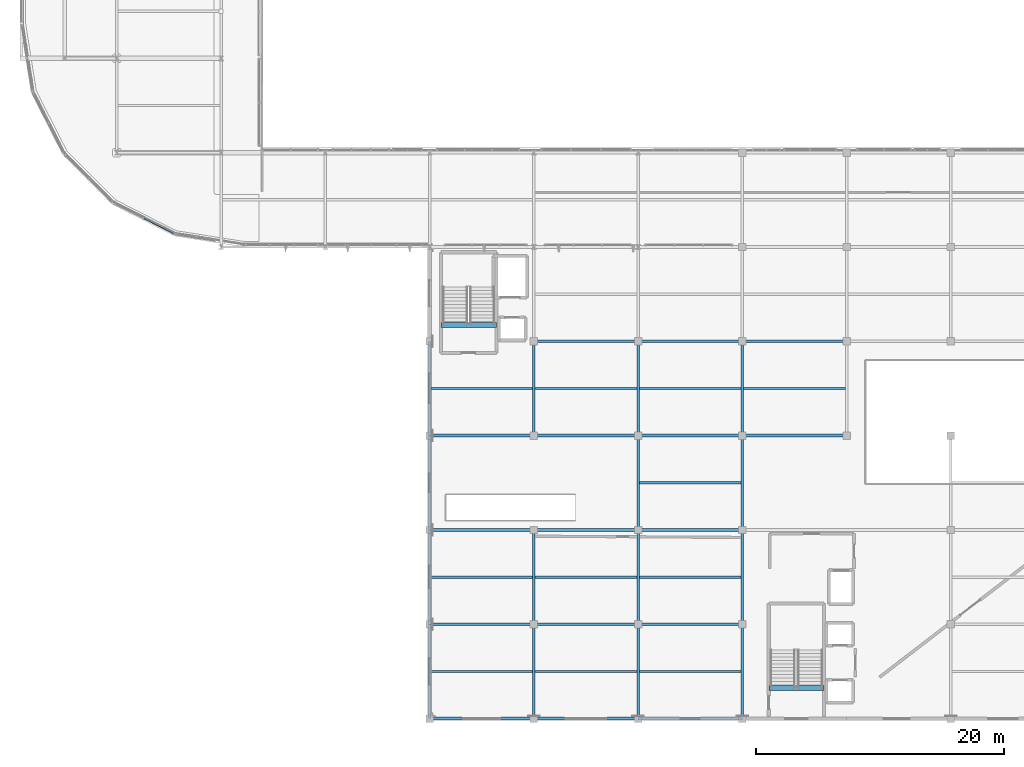
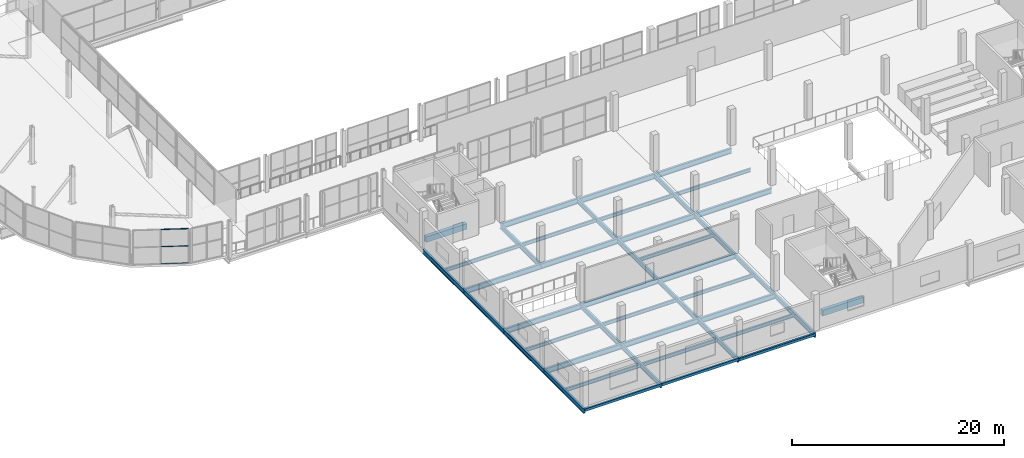
# One storey, part 13 of 217: 44 beams, 3 members, 1 element without a shape of its own.
"""IFC4 building model written with IfcOpenShell, lengths in metres."""

from ifc_helpers import new_model, si_unit, direction, frame, origin, origin_2d, place, context, subcontext, project, spatial, rectangle, hollow_rectangle, i_section, extrude, material, material_profile, profile_set, type_object, element, aggregate, save


model = new_model("IFC4")

# Units and contexts
model_context = context("Model", 3, precision=1e-05, world=origin(), true_north=direction((0.0, 1.0)))
body_context = subcontext(model_context, "Body", "Model", "MODEL_VIEW")
ifc_project = project(units=[si_unit("LENGTHUNIT", "METRE"), si_unit("AREAUNIT", "SQUARE_METRE"), si_unit("VOLUMEUNIT", "CUBIC_METRE"), si_unit("PLANEANGLEUNIT", "RADIAN"), si_unit("MASSUNIT", "GRAM", prefix="KILO")], contexts=[model_context])

# Site, building, storey
site_placement = place(None, origin())
site = spatial("IfcSite", under=ifc_project, at=site_placement, CompositionType="ELEMENT")
building_placement = place(site_placement, origin())
building = spatial("IfcBuilding", under=site, at=building_placement, Name="Zuvorla Pavilion Media Centre", CompositionType="ELEMENT")
storey_placement = place(building_placement, frame((0.0, 0.0, 9.60009765625)))
storey = spatial("IfcBuildingStorey", under=building, at=storey_placement, Name="L02", CompositionType="ELEMENT", Elevation=9.60009765625)

# Beams
ifc_material_1 = material(Name="Concrete C40/50", Category="concrete")
ifc_material_profile_1 = material_profile(ifc_material_1, rectangle(XDim=0.39990234375, YDim=0.64990234375, at=origin_2d()), Name="RC 400x650")
ifc_profile_set_1 = profile_set([ifc_material_profile_1], Name="Concrete C40/50")
beam_type_1 = type_object("IfcBeamType", Name="BM-RC-650", PredefinedType="BEAM", material=ifc_profile_set_1)
beam_1_placement = place(storey_placement, frame((68.929931640625, 8.469970703125, -0.32421875), z_axis=(1.0, 0.0, 0.0), x_axis=(0.0, 1.0, 0.0)))
element("IfcBeam", 1, at=beam_1_placement, inside=storey, type_object=beam_type_1, Name="L02 ST-01 landing trimmer beam", PredefinedType="BEAM", context=body_context, shape_type="SweptSolid", body=[
    extrude(rectangle(XDim=0.39990234375, YDim=0.64990234375, at=origin_2d()), origin(), (0.0, 0.0, 1.0), 4.440185546875),
])
beam_2_placement = place(storey_placement, frame((42.530029296875, 37.719970703125, -0.32421875), z_axis=(1.0, 0.0, 0.0), x_axis=(0.0, 1.0, 0.0)))
element("IfcBeam", 2, at=beam_2_placement, inside=storey, type_object=beam_type_1, Name="L02 ST-03 landing trimmer beam", PredefinedType="BEAM", context=body_context, shape_type="SweptSolid", body=[
    extrude(rectangle(XDim=0.39990234375, YDim=0.64990234375, at=origin_2d()), origin(), (0.0, 0.0, 1.0), 4.43994140625),
])
ifc_material_2 = material(Name="Steel S355", Category="steel")
ifc_material_profile_2 = material_profile(ifc_material_2, hollow_rectangle(XDim=0.199951171875, YDim=0.300048828125, WallThickness=0.012451171875, at=origin_2d()), Name="RHS 300x200x12.5")
ifc_profile_set_2 = profile_set([ifc_material_profile_2], Name="Steel S355")
beam_type_2 = type_object("IfcBeamType", Name="BM-SP-RHS300", PredefinedType="SPANDREL", material=ifc_profile_set_2)
for number, where, z_axis, x_axis, name in (
    (3, (41.60009765625, 6.0, -0.508056640625), (1.0, 0.0, 0.0), (0.0, 1.0, 0.0), "L02 spandrel SP01 790"),
    (4, (50.0, 6.0, -0.508056640625), (1.0, 0.0, 0.0), (0.0, 1.0, 0.0), "L02 spandrel SP01 791"),
):
    element("IfcBeam", number, at=place(storey_placement, frame(where, z_axis=z_axis, x_axis=x_axis)), inside=storey, type_object=beam_type_2, Name=name, PredefinedType="SPANDREL", context=body_context, shape_type="SweptSolid", body=[
        extrude(hollow_rectangle(XDim=0.199951171875, YDim=0.300048828125, WallThickness=0.012451171875, at=origin_2d()), origin(), (0.0, 0.0, 1.0), 8.39990234375),
    ])
beam_3_placement = place(storey_placement, frame((58.39990234375, 6.0, -0.578125), z_axis=(1.0, 0.0, 0.0), x_axis=(0.0, 1.0, 0.0)))
element("IfcBeam", 5, at=beam_3_placement, inside=storey, type_object=beam_type_2, Name="L02 spandrel SP01 792", PredefinedType="SPANDREL", context=body_context, shape_type="SweptSolid", body=[
    extrude(hollow_rectangle(XDim=0.199951171875, YDim=0.300048828125, WallThickness=0.012451171875, at=origin_2d()), origin(), (0.0, 0.0, 1.0), 8.400146484375),
])
ifc_material_profile_3 = material_profile(ifc_material_2, i_section(OverallWidth=0.1787109375, OverallDepth=0.409423828125, WebThickness=0.0087890625, FlangeThickness=0.014404296875, FilletRadius=0.01025390625, at=origin_2d()), Name="UB 406x178x67")
ifc_profile_set_3 = profile_set([ifc_material_profile_3], Name="Steel S355")
beam_type_3 = type_object("IfcBeamType", Name="BM-UB406", PredefinedType="JOIST", material=ifc_profile_set_3)
for number, where, z_axis, x_axis, name in (
    (6, (41.699951171875, 9.800048828125, -0.562744140625), (1.0, 0.0, 0.0), (0.0, 1.0, 0.0), "L02 joist J02 989"),
    (7, (41.699951171875, 17.39990234375, -0.562744140625), (1.0, 0.0, 0.0), (0.0, 1.0, 0.0), "L02 joist J02 990"),
    (8, (41.699951171875, 32.60009765625, -0.562744140625), (1.0, 0.0, 0.0), (0.0, 1.0, 0.0), "L02 joist J02 991"),
    (9, (50.10009765625, 9.800048828125, -0.562744140625), (1.0, 0.0, 0.0), (0.0, 1.0, 0.0), "L02 joist J02 994"),
    (10, (50.10009765625, 17.39990234375, -0.562744140625), (1.0, 0.0, 0.0), (0.0, 1.0, 0.0), "L02 joist J02 995"),
    (11, (50.10009765625, 32.60009765625, -0.562744140625), (1.0, 0.0, 0.0), (0.0, 1.0, 0.0), "L02 joist J02 996"),
    (12, (58.5, 9.800048828125, -0.6328125), (1.0, 0.0, 0.0), (0.0, 1.0, 0.0), "L02 joist J02 1000"),
    (13, (58.5, 17.39990234375, -0.6328125), (1.0, 0.0, 0.0), (0.0, 1.0, 0.0), "L02 joist J02 1001"),
    (14, (58.5, 25.0, -0.6328125), (1.0, 0.0, 0.0), (0.0, 1.0, 0.0), "L02 joist J02 1002"),
    (15, (58.5, 32.60009765625, -0.6328125), (1.0, 0.0, 0.0), (0.0, 1.0, 0.0), "L02 joist J02 1003"),
):
    element("IfcBeam", number, at=place(storey_placement, frame(where, z_axis=z_axis, x_axis=x_axis)), inside=storey, type_object=beam_type_3, Name=name, PredefinedType="JOIST", context=body_context, shape_type="SweptSolid", body=[
        extrude(i_section(OverallWidth=0.1787109375, OverallDepth=0.409423828125, WebThickness=0.0087890625, FlangeThickness=0.014404296875, FilletRadius=0.01025390625, at=origin_2d()), origin(), (0.0, 0.0, 1.0), 8.199951171875),
    ])
beam_4_placement = place(storey_placement, frame((66.89990234375, 32.60009765625, -0.6328125), z_axis=(1.0, 0.0, 0.0), x_axis=(0.0, 1.0, 0.0)))
element("IfcBeam", 16, at=beam_4_placement, inside=storey, type_object=beam_type_3, Name="L02 joist J02 1007", PredefinedType="JOIST", context=body_context, shape_type="SweptSolid", body=[
    extrude(i_section(OverallWidth=0.1787109375, OverallDepth=0.409423828125, WebThickness=0.0087890625, FlangeThickness=0.014404296875, FilletRadius=0.01025390625, at=origin_2d()), origin(), (0.0, 0.0, 1.0), 8.2001953125),
])
ifc_material_profile_4 = material_profile(ifc_material_2, i_section(OverallWidth=0.2099609375, OverallDepth=0.53662109375, WebThickness=0.0107421875, FlangeThickness=0.017333984375, FilletRadius=0.0126953125, at=origin_2d()), Name="UB 533x210x101")
ifc_profile_set_4 = profile_set([ifc_material_profile_4], Name="Steel S355")
beam_type_4 = type_object("IfcBeamType", Name="BM-UB533", PredefinedType="BEAM", material=ifc_profile_set_4)
beam_5_placement = place(storey_placement, frame((41.60009765625, 6.0, -0.62646484375), z_axis=(0.0, 1.0, 0.0), x_axis=(-1.0, 0.0, 0.0)))
element("IfcBeam", 17, at=beam_5_placement, inside=storey, type_object=beam_type_4, Name="L02 beam B08 903", PredefinedType="BEAM", context=body_context, shape_type="SweptSolid", body=[
    extrude(i_section(OverallWidth=0.2099609375, OverallDepth=0.53662109375, WebThickness=0.0107421875, FlangeThickness=0.017333984375, FilletRadius=0.0126953125, at=origin_2d()), origin(), (0.0, 0.0, 1.0), 7.60009765625),
])
beam_6_placement = place(storey_placement, frame((41.60009765625, 13.60009765625, -0.62646484375), z_axis=(0.0, 1.0, 0.0), x_axis=(-1.0, 0.0, 0.0)))
element("IfcBeam", 18, at=beam_6_placement, inside=storey, type_object=beam_type_4, Name="L02 beam B08 904", PredefinedType="BEAM", context=body_context, shape_type="SweptSolid", body=[
    extrude(i_section(OverallWidth=0.2099609375, OverallDepth=0.53662109375, WebThickness=0.0107421875, FlangeThickness=0.017333984375, FilletRadius=0.0126953125, at=origin_2d()), origin(), (0.0, 0.0, 1.0), 7.599853515625),
])
beam_7_placement = place(storey_placement, frame((41.60009765625, 21.199951171875, -0.62646484375), z_axis=(0.0, 1.0, 0.0), x_axis=(-1.0, 0.0, 0.0)))
element("IfcBeam", 19, at=beam_7_placement, inside=storey, type_object=beam_type_4, Name="L02 beam B08 905", PredefinedType="BEAM", context=body_context, shape_type="SweptSolid", body=[
    extrude(i_section(OverallWidth=0.2099609375, OverallDepth=0.53662109375, WebThickness=0.0107421875, FlangeThickness=0.017333984375, FilletRadius=0.0126953125, at=origin_2d()), origin(), (0.0, 0.0, 1.0), 7.60009765625),
])
beam_8_placement = place(storey_placement, frame((41.60009765625, 28.800048828125, -0.62646484375), z_axis=(0.0, 1.0, 0.0), x_axis=(-1.0, 0.0, 0.0)))
element("IfcBeam", 20, at=beam_8_placement, inside=storey, type_object=beam_type_4, Name="L02 beam B08 906", PredefinedType="BEAM", context=body_context, shape_type="SweptSolid", body=[
    extrude(i_section(OverallWidth=0.2099609375, OverallDepth=0.53662109375, WebThickness=0.0107421875, FlangeThickness=0.017333984375, FilletRadius=0.0126953125, at=origin_2d()), origin(), (0.0, 0.0, 1.0), 7.599853515625),
])
beam_9_placement = place(storey_placement, frame((50.0, 6.0, -0.62646484375), z_axis=(0.0, 1.0, 0.0), x_axis=(-1.0, 0.0, 0.0)))
element("IfcBeam", 21, at=beam_9_placement, inside=storey, type_object=beam_type_4, Name="L02 beam B08 910", PredefinedType="BEAM", context=body_context, shape_type="SweptSolid", body=[
    extrude(i_section(OverallWidth=0.2099609375, OverallDepth=0.53662109375, WebThickness=0.0107421875, FlangeThickness=0.017333984375, FilletRadius=0.0126953125, at=origin_2d()), origin(), (0.0, 0.0, 1.0), 7.60009765625),
])
for number, where, z_axis, x_axis, name in (
    (22, (50.0, 13.60009765625, -0.62646484375), (0.0, 1.0, 0.0), (-1.0, 0.0, 0.0), "L02 beam B08 911"),
    (23, (50.0, 28.800048828125, -0.62646484375), (0.0, 1.0, 0.0), (-1.0, 0.0, 0.0), "L02 beam B08 912"),
):
    element("IfcBeam", number, at=place(storey_placement, frame(where, z_axis=z_axis, x_axis=x_axis)), inside=storey, type_object=beam_type_4, Name=name, PredefinedType="BEAM", context=body_context, shape_type="SweptSolid", body=[
        extrude(i_section(OverallWidth=0.2099609375, OverallDepth=0.53662109375, WebThickness=0.0107421875, FlangeThickness=0.017333984375, FilletRadius=0.0126953125, at=origin_2d()), origin(), (0.0, 0.0, 1.0), 7.599853515625),
    ])
beam_10_placement = place(storey_placement, frame((58.39990234375, 6.0, -0.62646484375), z_axis=(0.0, 1.0, 0.0), x_axis=(-1.0, 0.0, 0.0)))
element("IfcBeam", 24, at=beam_10_placement, inside=storey, type_object=beam_type_4, Name="L02 beam B08 916", PredefinedType="BEAM", context=body_context, shape_type="SweptSolid", body=[
    extrude(i_section(OverallWidth=0.2099609375, OverallDepth=0.53662109375, WebThickness=0.0107421875, FlangeThickness=0.017333984375, FilletRadius=0.0126953125, at=origin_2d()), origin(), (0.0, 0.0, 1.0), 7.60009765625),
])
beam_11_placement = place(storey_placement, frame((58.39990234375, 13.60009765625, -0.62646484375), z_axis=(0.0, 1.0, 0.0), x_axis=(-1.0, 0.0, 0.0)))
element("IfcBeam", 25, at=beam_11_placement, inside=storey, type_object=beam_type_4, Name="L02 beam B08 917", PredefinedType="BEAM", context=body_context, shape_type="SweptSolid", body=[
    extrude(i_section(OverallWidth=0.2099609375, OverallDepth=0.53662109375, WebThickness=0.0107421875, FlangeThickness=0.017333984375, FilletRadius=0.0126953125, at=origin_2d()), origin(), (0.0, 0.0, 1.0), 7.599853515625),
])
beam_12_placement = place(storey_placement, frame((58.39990234375, 21.199951171875, -0.62646484375), z_axis=(0.0, 1.0, 0.0), x_axis=(-1.0, 0.0, 0.0)))
element("IfcBeam", 26, at=beam_12_placement, inside=storey, type_object=beam_type_4, Name="L02 beam B08 918", PredefinedType="BEAM", context=body_context, shape_type="SweptSolid", body=[
    extrude(i_section(OverallWidth=0.2099609375, OverallDepth=0.53662109375, WebThickness=0.0107421875, FlangeThickness=0.017333984375, FilletRadius=0.0126953125, at=origin_2d()), origin(), (0.0, 0.0, 1.0), 7.60009765625),
])
beam_13_placement = place(storey_placement, frame((58.39990234375, 28.800048828125, -0.62646484375), z_axis=(0.0, 1.0, 0.0), x_axis=(-1.0, 0.0, 0.0)))
element("IfcBeam", 27, at=beam_13_placement, inside=storey, type_object=beam_type_4, Name="L02 beam B08 919", PredefinedType="BEAM", context=body_context, shape_type="SweptSolid", body=[
    extrude(i_section(OverallWidth=0.2099609375, OverallDepth=0.53662109375, WebThickness=0.0107421875, FlangeThickness=0.017333984375, FilletRadius=0.0126953125, at=origin_2d()), origin(), (0.0, 0.0, 1.0), 7.599853515625),
])
beam_14_placement = place(storey_placement, frame((66.800048828125, 6.0, -0.6962890625), z_axis=(0.0, 1.0, 0.0), x_axis=(-1.0, 0.0, 0.0)))
element("IfcBeam", 28, at=beam_14_placement, inside=storey, type_object=beam_type_4, Name="L02 beam B08 923", PredefinedType="BEAM", context=body_context, shape_type="SweptSolid", body=[
    extrude(i_section(OverallWidth=0.2099609375, OverallDepth=0.53662109375, WebThickness=0.0107421875, FlangeThickness=0.017333984375, FilletRadius=0.0126953125, at=origin_2d()), origin(), (0.0, 0.0, 1.0), 7.60009765625),
])
beam_15_placement = place(storey_placement, frame((66.800048828125, 13.60009765625, -0.6962890625), z_axis=(0.0, 1.0, 0.0), x_axis=(-1.0, 0.0, 0.0)))
element("IfcBeam", 29, at=beam_15_placement, inside=storey, type_object=beam_type_4, Name="L02 beam B08 924", PredefinedType="BEAM", context=body_context, shape_type="SweptSolid", body=[
    extrude(i_section(OverallWidth=0.2099609375, OverallDepth=0.53662109375, WebThickness=0.0107421875, FlangeThickness=0.017333984375, FilletRadius=0.0126953125, at=origin_2d()), origin(), (0.0, 0.0, 1.0), 7.599853515625),
])
beam_16_placement = place(storey_placement, frame((66.800048828125, 21.199951171875, -0.6962890625), z_axis=(0.0, 1.0, 0.0), x_axis=(-1.0, 0.0, 0.0)))
element("IfcBeam", 30, at=beam_16_placement, inside=storey, type_object=beam_type_4, Name="L02 beam B08 925", PredefinedType="BEAM", context=body_context, shape_type="SweptSolid", body=[
    extrude(i_section(OverallWidth=0.2099609375, OverallDepth=0.53662109375, WebThickness=0.0107421875, FlangeThickness=0.017333984375, FilletRadius=0.0126953125, at=origin_2d()), origin(), (0.0, 0.0, 1.0), 7.60009765625),
])
beam_17_placement = place(storey_placement, frame((66.800048828125, 28.800048828125, -0.6962890625), z_axis=(0.0, 1.0, 0.0), x_axis=(-1.0, 0.0, 0.0)))
element("IfcBeam", 31, at=beam_17_placement, inside=storey, type_object=beam_type_4, Name="L02 beam B08 926", PredefinedType="BEAM", context=body_context, shape_type="SweptSolid", body=[
    extrude(i_section(OverallWidth=0.2099609375, OverallDepth=0.53662109375, WebThickness=0.0107421875, FlangeThickness=0.017333984375, FilletRadius=0.0126953125, at=origin_2d()), origin(), (0.0, 0.0, 1.0), 7.599853515625),
])
ifc_material_profile_5 = material_profile(ifc_material_2, i_section(OverallWidth=0.22900390625, OverallDepth=0.6123046875, WebThickness=0.011962890625, FlangeThickness=0.01953125, FilletRadius=0.0126953125, at=origin_2d()), Name="UB 610x229x125")
ifc_profile_set_5 = profile_set([ifc_material_profile_5], Name="Steel S355")
beam_type_5 = type_object("IfcBeamType", Name="BM-UB610", PredefinedType="BEAM", material=ifc_profile_set_5)
for number, where, z_axis, x_axis, name in (
    (32, (41.60009765625, 13.60009765625, -0.664306640625), (1.0, 0.0, 0.0), (0.0, 1.0, 0.0), "L02 beam B07 795"),
    (33, (50.0, 13.60009765625, -0.664306640625), (1.0, 0.0, 0.0), (0.0, 1.0, 0.0), "L02 beam B07 796"),
):
    element("IfcBeam", number, at=place(storey_placement, frame(where, z_axis=z_axis, x_axis=x_axis)), inside=storey, type_object=beam_type_5, Name=name, PredefinedType="BEAM", context=body_context, shape_type="SweptSolid", body=[
        extrude(i_section(OverallWidth=0.22900390625, OverallDepth=0.6123046875, WebThickness=0.011962890625, FlangeThickness=0.01953125, FilletRadius=0.0126953125, at=origin_2d()), origin(), (0.0, 0.0, 1.0), 8.39990234375),
    ])
beam_18_placement = place(storey_placement, frame((58.39990234375, 13.60009765625, -0.734130859375), z_axis=(1.0, 0.0, 0.0), x_axis=(0.0, 1.0, 0.0)))
element("IfcBeam", 34, at=beam_18_placement, inside=storey, type_object=beam_type_5, Name="L02 beam B07 797", PredefinedType="BEAM", context=body_context, shape_type="SweptSolid", body=[
    extrude(i_section(OverallWidth=0.22900390625, OverallDepth=0.6123046875, WebThickness=0.011962890625, FlangeThickness=0.01953125, FilletRadius=0.0126953125, at=origin_2d()), origin(), (0.0, 0.0, 1.0), 8.400146484375),
])
for number, where, z_axis, x_axis, name in (
    (35, (41.60009765625, 21.199951171875, -0.664306640625), (1.0, 0.0, 0.0), (0.0, 1.0, 0.0), "L02 beam B07 800"),
    (36, (50.0, 21.199951171875, -0.664306640625), (1.0, 0.0, 0.0), (0.0, 1.0, 0.0), "L02 beam B07 801"),
):
    element("IfcBeam", number, at=place(storey_placement, frame(where, z_axis=z_axis, x_axis=x_axis)), inside=storey, type_object=beam_type_5, Name=name, PredefinedType="BEAM", context=body_context, shape_type="SweptSolid", body=[
        extrude(i_section(OverallWidth=0.22900390625, OverallDepth=0.6123046875, WebThickness=0.011962890625, FlangeThickness=0.01953125, FilletRadius=0.0126953125, at=origin_2d()), origin(), (0.0, 0.0, 1.0), 8.39990234375),
    ])
beam_19_placement = place(storey_placement, frame((58.39990234375, 21.199951171875, -0.734130859375), z_axis=(1.0, 0.0, 0.0), x_axis=(0.0, 1.0, 0.0)))
element("IfcBeam", 37, at=beam_19_placement, inside=storey, type_object=beam_type_5, Name="L02 beam B07 802", PredefinedType="BEAM", context=body_context, shape_type="SweptSolid", body=[
    extrude(i_section(OverallWidth=0.22900390625, OverallDepth=0.6123046875, WebThickness=0.011962890625, FlangeThickness=0.01953125, FilletRadius=0.0126953125, at=origin_2d()), origin(), (0.0, 0.0, 1.0), 8.400146484375),
])
for number, where, z_axis, x_axis, name in (
    (38, (41.60009765625, 28.800048828125, -0.664306640625), (1.0, 0.0, 0.0), (0.0, 1.0, 0.0), "L02 beam B07 807"),
    (39, (50.0, 28.800048828125, -0.664306640625), (1.0, 0.0, 0.0), (0.0, 1.0, 0.0), "L02 beam B07 808"),
):
    element("IfcBeam", number, at=place(storey_placement, frame(where, z_axis=z_axis, x_axis=x_axis)), inside=storey, type_object=beam_type_5, Name=name, PredefinedType="BEAM", context=body_context, shape_type="SweptSolid", body=[
        extrude(i_section(OverallWidth=0.22900390625, OverallDepth=0.6123046875, WebThickness=0.011962890625, FlangeThickness=0.01953125, FilletRadius=0.0126953125, at=origin_2d()), origin(), (0.0, 0.0, 1.0), 8.39990234375),
    ])
beam_20_placement = place(storey_placement, frame((58.39990234375, 28.800048828125, -0.734130859375), z_axis=(1.0, 0.0, 0.0), x_axis=(0.0, 1.0, 0.0)))
element("IfcBeam", 40, at=beam_20_placement, inside=storey, type_object=beam_type_5, Name="L02 beam B07 809", PredefinedType="BEAM", context=body_context, shape_type="SweptSolid", body=[
    extrude(i_section(OverallWidth=0.22900390625, OverallDepth=0.6123046875, WebThickness=0.011962890625, FlangeThickness=0.01953125, FilletRadius=0.0126953125, at=origin_2d()), origin(), (0.0, 0.0, 1.0), 8.400146484375),
])
for number, where, z_axis, x_axis, name in (
    (41, (66.800048828125, 28.800048828125, -0.734130859375), (1.0, 0.0, 0.0), (0.0, 1.0, 0.0), "L02 beam B07 810"),
    (42, (50.0, 36.39990234375, -0.664306640625), (1.0, 0.0, 0.0), (0.0, 1.0, 0.0), "L02 beam B07 812"),
):
    element("IfcBeam", number, at=place(storey_placement, frame(where, z_axis=z_axis, x_axis=x_axis)), inside=storey, type_object=beam_type_5, Name=name, PredefinedType="BEAM", context=body_context, shape_type="SweptSolid", body=[
        extrude(i_section(OverallWidth=0.22900390625, OverallDepth=0.6123046875, WebThickness=0.011962890625, FlangeThickness=0.01953125, FilletRadius=0.0126953125, at=origin_2d()), origin(), (0.0, 0.0, 1.0), 8.39990234375),
    ])
beam_21_placement = place(storey_placement, frame((58.39990234375, 36.39990234375, -0.734130859375), z_axis=(1.0, 0.0, 0.0), x_axis=(0.0, 1.0, 0.0)))
element("IfcBeam", 43, at=beam_21_placement, inside=storey, type_object=beam_type_5, Name="L02 beam B07 813", PredefinedType="BEAM", context=body_context, shape_type="SweptSolid", body=[
    extrude(i_section(OverallWidth=0.22900390625, OverallDepth=0.6123046875, WebThickness=0.011962890625, FlangeThickness=0.01953125, FilletRadius=0.0126953125, at=origin_2d()), origin(), (0.0, 0.0, 1.0), 8.400146484375),
])
beam_22_placement = place(storey_placement, frame((66.800048828125, 36.39990234375, -0.734130859375), z_axis=(1.0, 0.0, 0.0), x_axis=(0.0, 1.0, 0.0)))
element("IfcBeam", 44, at=beam_22_placement, inside=storey, type_object=beam_type_5, Name="L02 beam B07 814", PredefinedType="BEAM", context=body_context, shape_type="SweptSolid", body=[
    extrude(i_section(OverallWidth=0.22900390625, OverallDepth=0.6123046875, WebThickness=0.011962890625, FlangeThickness=0.01953125, FilletRadius=0.0126953125, at=origin_2d()), origin(), (0.0, 0.0, 1.0), 8.39990234375),
])

# Curtain wall, members
ifc_material_3 = material(Name="Unitised anodised aluminium and solar glass curtain wall", Category="aluminium")
curtain_wall_type = type_object("IfcCurtainWallType", Name="CW-SYS-04", PredefinedType="USERDEFINED", material=ifc_material_3)
curtain_wall_placement = place(storey_placement, origin())
curtain_wall = element("IfcCurtainWall", 45, at=curtain_wall_placement, inside=storey, type_object=curtain_wall_type, Name="L02 curtain wall CW04 36", ObjectType="CURTAIN WALL", PredefinedType="USERDEFINED")
ifc_material_4 = material(Name="Anodised aluminium 6063-T6", Category="aluminium")
ifc_material_profile_6 = material_profile(ifc_material_4, hollow_rectangle(XDim=0.080078125, YDim=0.080078125, WallThickness=0.00390625, at=origin_2d()), Name="ALU TRAN 80x80")
ifc_profile_set_6 = profile_set([ifc_material_profile_6], Name="Anodised aluminium 6063-T6")
member_type = type_object("IfcMemberType", Name="CW-TRAN-80", PredefinedType="USERDEFINED", material=ifc_profile_set_6)
member_1_placement = place(storey_placement, frame((18.59228515625, 46.2841796875, 0.0), z_axis=(0.891000209717, -0.454002892375, 0.0), x_axis=(0.454002892375, 0.891000209717, 0.0)))
member_1 = element("IfcMember", 46, at=member_1_placement, type_object=member_type, Name="CW04 transom 2.1", ObjectType="TRANSOM", PredefinedType="USERDEFINED", context=body_context, shape_type="SweptSolid", body=[
    extrude(hollow_rectangle(XDim=0.080078125, YDim=0.080078125, WallThickness=0.00390625, at=origin_2d()), origin(), (0.0, 0.0, 1.0), 2.656005859375),
])
member_2_placement = place(storey_placement, frame((18.59228515625, 46.2841796875, 1.974853515625), z_axis=(0.891000209717, -0.454002892375, 0.0), x_axis=(0.454002892375, 0.891000209717, 0.0)))
member_2 = element("IfcMember", 47, at=member_2_placement, type_object=member_type, Name="CW04 transom 2.2", ObjectType="TRANSOM", PredefinedType="USERDEFINED", context=body_context, shape_type="SweptSolid", body=[
    extrude(hollow_rectangle(XDim=0.080078125, YDim=0.080078125, WallThickness=0.00390625, at=origin_2d()), origin(), (0.0, 0.0, 1.0), 2.656005859375),
])
member_3_placement = place(storey_placement, frame((18.59228515625, 46.2841796875, 3.949951171875), z_axis=(0.891000209717, -0.454002892375, 0.0), x_axis=(0.454002892375, 0.891000209717, 0.0)))
member_3 = element("IfcMember", 48, at=member_3_placement, type_object=member_type, Name="CW04 transom 2.3", ObjectType="TRANSOM", PredefinedType="USERDEFINED", context=body_context, shape_type="SweptSolid", body=[
    extrude(hollow_rectangle(XDim=0.080078125, YDim=0.080078125, WallThickness=0.00390625, at=origin_2d()), origin(), (0.0, 0.0, 1.0), 2.656005859375),
])
aggregate(curtain_wall, [member_1, member_2, member_3])

save(model, "model.ifc")
